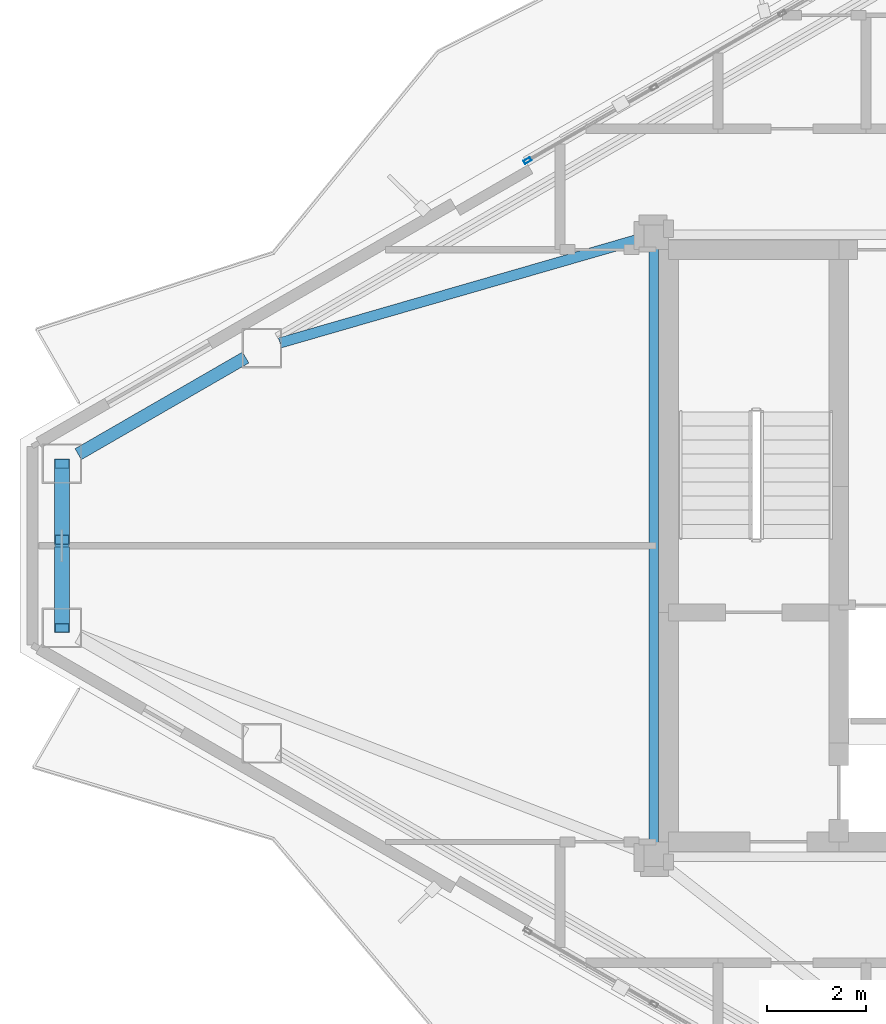
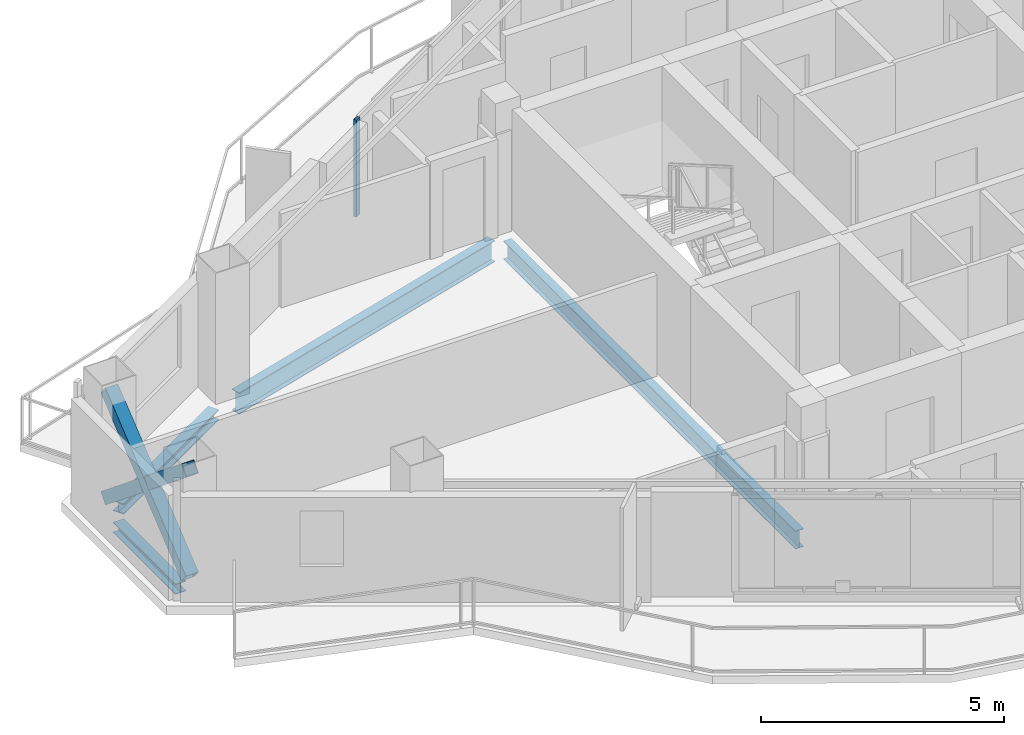
# One storey, part 7 of 21: 4 beams, 4 members, 1 element without a shape of its own.
"""IFC4 building model written with IfcOpenShell, lengths in metres."""

from ifc_helpers import new_model, si_unit, direction, frame, origin, origin_2d, place, context, subcontext, project, spatial, hollow_rectangle, i_section, extrude, material, layer, layer_set, material_profile, profile_set, type_object, element, aggregate, save


model = new_model("IFC4")

# Units and contexts
model_context = context("Model", 3, precision=1e-05, world=origin(), true_north=direction((0.0, 1.0)))
body_context = subcontext(model_context, "Body", "Model", "MODEL_VIEW")
ifc_project = project(units=[si_unit("LENGTHUNIT", "METRE"), si_unit("AREAUNIT", "SQUARE_METRE"), si_unit("VOLUMEUNIT", "CUBIC_METRE"), si_unit("PLANEANGLEUNIT", "RADIAN"), si_unit("MASSUNIT", "GRAM", prefix="KILO")], contexts=[model_context])

# Site, building, storey
site_placement = place(None, origin())
site = spatial("IfcSite", under=ifc_project, at=site_placement, CompositionType="ELEMENT")
building_placement = place(site_placement, origin())
building = spatial("IfcBuilding", under=site, at=building_placement, Name="Mersakhor Tower and Convention Hall", CompositionType="ELEMENT")
storey_placement = place(building_placement, frame((0.0, 0.0, 215.10009765625)))
storey = spatial("IfcBuildingStorey", under=building, at=storey_placement, Name="L60", CompositionType="ELEMENT", Elevation=215.10009765625)

# Beams
ifc_material_1 = material(Name="Steel S355", Category="steel")
ifc_material_profile_1 = material_profile(ifc_material_1, i_section(OverallWidth=0.19140625, OverallDepth=0.4599609375, WebThickness=0.010009765625, FlangeThickness=0.01611328125, at=origin_2d()), Name="UB 457x191x82")
ifc_profile_set_1 = profile_set([ifc_material_profile_1], Name="Steel S355")
beam_type_1 = type_object("IfcBeamType", Name="BM-FB-457", PredefinedType="BEAM", material=ifc_profile_set_1)
beam_1_placement = place(storey_placement, frame((21.89990234375, 20.72998046875, -0.460205078125), z_axis=(0.0, 1.0, 0.0), x_axis=(-1.0, 0.0, 0.0)))
element("IfcBeam", 1, at=beam_1_placement, inside=storey, type_object=beam_type_1, Name="L60 Core Ring Tie Beam CRB-1", PredefinedType="BEAM", context=body_context, shape_type="SweptSolid", body=[
    extrude(i_section(OverallWidth=0.19140625, OverallDepth=0.4599609375, WebThickness=0.010009765625, FlangeThickness=0.01611328125, at=origin_2d()), origin(), (0.0, 0.0, 1.0), 12.0400390625),
])
ifc_material_2 = material(Name="Steel S355", Category="steel")
ifc_material_profile_2 = material_profile(ifc_material_2, i_section(OverallWidth=0.2099609375, OverallDepth=0.53662109375, WebThickness=0.0107421875, FlangeThickness=0.017333984375, at=origin_2d()), Name="UB 533x210x101")
ifc_profile_set_2 = profile_set([ifc_material_profile_2], Name="Steel S355")
beam_type_2 = type_object("IfcBeamType", Name="BM-FB-533", PredefinedType="BEAM", material=ifc_profile_set_2)
beam_2_placement = place(storey_placement, frame((21.631103515625, 32.97216796875, -0.498291015625), z_axis=(-0.960673848118, -0.277679234987, 0.0), x_axis=(0.277679234987, -0.960673848118, 0.0)))
element("IfcBeam", 2, at=beam_2_placement, inside=storey, type_object=beam_type_2, Name="L60 Primary Floor Girder FG-1", PredefinedType="BEAM", context=body_context, shape_type="SweptSolid", body=[
    extrude(i_section(OverallWidth=0.2099609375, OverallDepth=0.53662109375, WebThickness=0.0107421875, FlangeThickness=0.017333984375, at=origin_2d()), origin(), (0.0, 0.0, 1.0), 7.605224609375),
])
ifc_material_3 = material(Name="Steel S355", Category="steel")
ifc_material_profile_3 = material_profile(ifc_material_3, i_section(OverallWidth=0.25634765625, OverallDepth=0.26025390625, WebThickness=0.01025390625, FlangeThickness=0.017333984375, at=origin_2d()), Name="UC 254x254x89")
ifc_profile_set_3 = profile_set([ifc_material_profile_3], Name="Steel S355")
beam_type_3 = type_object("IfcBeamType", Name="BM-SPD-UC254", PredefinedType="SPANDREL", material=ifc_profile_set_3)
beam_3_placement = place(storey_placement, frame((10.236572265625, 28.605224609375, -0.360107421875), z_axis=(0.866007153761, 0.500031608635, 0.0), x_axis=(-0.500031608635, 0.866007153761, 0.0)))
element("IfcBeam", 3, at=beam_3_placement, inside=storey, type_object=beam_type_3, Name="L60 Perimeter Spandrel Beam SPB-01", PredefinedType="SPANDREL", context=body_context, shape_type="SweptSolid", body=[
    extrude(i_section(OverallWidth=0.25634765625, OverallDepth=0.26025390625, WebThickness=0.01025390625, FlangeThickness=0.017333984375, at=origin_2d()), origin(), (0.0, 0.0, 1.0), 3.919189453125),
])
beam_4_placement = place(storey_placement, frame((9.907470703125, 25.464599609375, -0.360107421875), z_axis=(0.0, 1.0, 0.0), x_axis=(-1.0, 0.0, 0.0)))
element("IfcBeam", 4, at=beam_4_placement, inside=storey, type_object=beam_type_3, Name="L60 Perimeter Spandrel Beam SPB-12", PredefinedType="SPANDREL", context=body_context, shape_type="SweptSolid", body=[
    extrude(i_section(OverallWidth=0.25634765625, OverallDepth=0.26025390625, WebThickness=0.01025390625, FlangeThickness=0.017333984375, at=origin_2d()), origin(), (0.0, 0.0, 1.0), 2.57080078125),
])

# Curtain wall, member
ifc_material_4 = material(Name="Dark solar low-E aluminium curtain wall", Category="aluminium")
ifc_layer = layer(ifc_material_4, 0.169921875)
ifc_layer_set = layer_set([ifc_layer], Name="Dark solar low-E aluminium curtain wall")
curtain_wall_type = type_object("IfcCurtainWallType", Name="CW-SYS-02", PredefinedType="USERDEFINED", material=ifc_layer_set)
curtain_wall_placement = place(storey_placement, origin())
curtain_wall = element("IfcCurtainWall", 5, at=curtain_wall_placement, inside=storey, type_object=curtain_wall_type, Name="L60 Dark-Glass Curtain Wall F1-B2", ObjectType="CURTAIN WALL", PredefinedType="USERDEFINED")
ifc_material_5 = material(Name="Anodised aluminium EN AW-6063 T6", Category="aluminium")
ifc_material_profile_4 = material_profile(ifc_material_5, hollow_rectangle(XDim=0.074951171875, YDim=0.14990234375, WallThickness=0.00634765625, at=origin_2d()), Name="RHS 150x75x6.3")
ifc_profile_set_4 = profile_set([ifc_material_profile_4], Name="Anodised aluminium EN AW-6063 T6")
member_type_1 = type_object("IfcMemberType", Name="CWM-150x75", PredefinedType="MULLION", material=ifc_profile_set_4)
member_1_placement = place(storey_placement, frame((19.341796875, 34.554931640625, 0.199951171875), z_axis=(0.0, 0.0, 1.0), x_axis=(-0.500007824483, 0.86602088627, 0.0)))
member_1 = element("IfcMember", 6, at=member_1_placement, type_object=member_type_1, Name="CW-02 mullion 1", PredefinedType="MULLION", context=body_context, shape_type="SweptSolid", body=[
    extrude(hollow_rectangle(XDim=0.074951171875, YDim=0.14990234375, WallThickness=0.00634765625, at=origin_2d()), origin(), (0.0, 0.0, 1.0), 2.43994140625),
])
aggregate(curtain_wall, [member_1])

# Members
ifc_material_6 = material(Name="Steel S355", Category="steel")
ifc_material_profile_5 = material_profile(ifc_material_6, hollow_rectangle(XDim=0.300048828125, YDim=0.300048828125, WallThickness=0.01611328125, at=origin_2d()), Name="SHS 300x300x16")
ifc_profile_set_5 = profile_set([ifc_material_profile_5], Name="Steel S355")
member_type_2 = type_object("IfcMemberType", Name="MB-BRC-SHS300", PredefinedType="BRACE", material=ifc_profile_set_5)
member_2_placement = place(storey_placement, frame((9.907470703125, 25.084716796875, 0.14990234375), z_axis=(0.0, 0.774531200407, 0.632535706182), x_axis=(-1.0, 0.0, 0.0)))
element("IfcMember", 7, at=member_2_placement, inside=storey, type_object=member_type_2, Name="L60 Chamfer Braced Frame Diagonal CB-3A", PredefinedType="BRACE", context=body_context, shape_type="SweptSolid", body=[
    extrude(hollow_rectangle(XDim=0.300048828125, YDim=0.300048828125, WallThickness=0.01611328125, at=origin_2d()), origin(), (0.0, 0.0, 1.0), 4.300048828125),
])
for number, where, z_axis, x_axis, name in (
    (8, (9.907470703125, 28.415283203125, 0.14990234375), (0.0, -0.774542150268, 0.632522297993), (1.0, 0.0, 0.0), "L60 Chamfer Braced Frame Diagonal CB-3B Lower Half"),
    (9, (9.907470703125, 26.625244140625, 1.61181640625), (0.0, -0.774542150268, 0.632522297993), (1.0, 0.0, 0.0), "L60 Chamfer Braced Frame Diagonal CB-3B Upper Half"),
):
    element("IfcMember", number, at=place(storey_placement, frame(where, z_axis=z_axis, x_axis=x_axis)), inside=storey, type_object=member_type_2, Name=name, PredefinedType="BRACE", context=body_context, shape_type="SweptSolid", body=[
        extrude(hollow_rectangle(XDim=0.300048828125, YDim=0.300048828125, WallThickness=0.01611328125, at=origin_2d()), origin(), (0.0, 0.0, 1.0), 1.989013671875),
    ])

save(model, "model.ifc")
